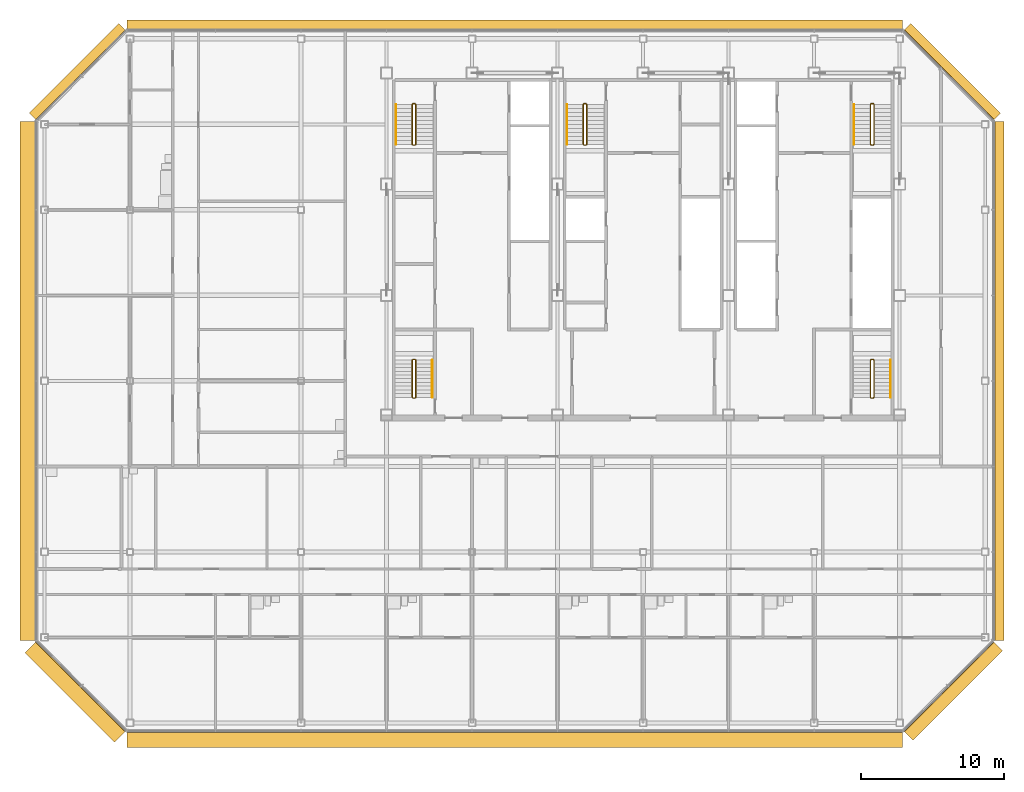
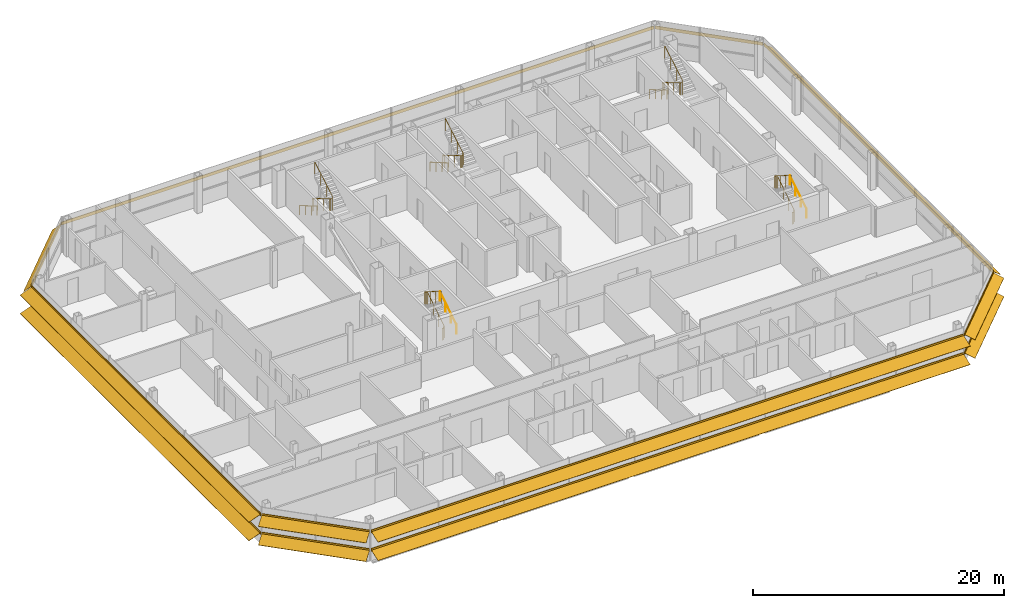
# One storey, part 27 of 28: 10 railings, 8 shading devices.
"""IFC4 building model written with IfcOpenShell, lengths in metres."""

from ifc_helpers import new_model, si_unit, direction, frame, origin, origin_2d, place, context, subcontext, project, spatial, polyline, circle, outline, composite_profile, extrude, material, type_object, element, save


model = new_model("IFC4")

# Units and contexts
model_context = context("Model", 3, precision=1e-05, world=origin(), true_north=direction((0.0, 1.0)))
body_context = subcontext(model_context, "Body", "Model", "MODEL_VIEW")
ifc_project = project(units=[si_unit("LENGTHUNIT", "METRE"), si_unit("AREAUNIT", "SQUARE_METRE"), si_unit("VOLUMEUNIT", "CUBIC_METRE"), si_unit("PLANEANGLEUNIT", "RADIAN"), si_unit("MASSUNIT", "GRAM", prefix="KILO")], contexts=[model_context])

# Site, building, storey
site_placement = place(None, origin())
site = spatial("IfcSite", under=ifc_project, at=site_placement, CompositionType="ELEMENT")
building_placement = place(site_placement, origin())
building = spatial("IfcBuilding", under=site, at=building_placement, Name="Sorahane Residences", CompositionType="ELEMENT")
storey_placement = place(building_placement, frame((0.0, 0.0, 305.199951171875)))
storey = spatial("IfcBuildingStorey", under=building, at=storey_placement, Name="L72", CompositionType="ELEMENT", Elevation=305.199951171875)

# Shading devices
ifc_material_1 = material(Name="Terracotta anodised aluminium", Category="masonry")
shading_device_type_1 = type_object("IfcShadingDeviceType", Name="Louvre sunshade blade E terracotta aluminium 700", PredefinedType="JALOUSIE", material=ifc_material_1)
shading_device_1_placement = place(storey_placement, frame((48.60009765625, 5.801513671875, 2.699951171875), z_axis=(0.0, 1.0, 0.0), x_axis=(-1.0, 0.0, 0.0)))
element("IfcShadingDevice", 1, at=shading_device_1_placement, inside=storey, type_object=shading_device_type_1, Name="Louvre sunshade blade bank E L72 E1", PredefinedType="JALOUSIE", context=body_context, shape_type="SweptSolid", body=[
    extrude(outline(polyline([(-0.719970703125, -0.49365234375), (-0.719970703125, -0.523681640625), (-0.080078125, -0.05859375), (-0.080078125, -0.14990234375), (-0.02001953125, -0.14990234375), (-0.02001953125, -0.014892578125), (-0.02001953125, 0.014892578125), (-0.02001953125, 0.14990234375), (-0.080078125, 0.14990234375), (-0.080078125, -0.028564453125), (-0.719970703125, -0.49365234375)])), origin(), (0.0, 0.0, 1.0), 36.39697265625),
])
ifc_material_2 = material(Name="Terracotta anodised aluminium", Category="masonry")
shading_device_type_2 = type_object("IfcShadingDeviceType", Name="Louvre sunshade blade N terracotta aluminium 700", PredefinedType="JALOUSIE", material=ifc_material_2)
shading_device_2_placement = place(storey_placement, frame((42.198486328125, 48.60009765625, 2.699951171875), z_axis=(-1.0, 0.0, 0.0), x_axis=(0.0, -1.0, 0.0)))
element("IfcShadingDevice", 2, at=shading_device_2_placement, inside=storey, type_object=shading_device_type_2, Name="Louvre sunshade blade bank N L72 N1", PredefinedType="JALOUSIE", context=body_context, shape_type="SweptSolid", body=[
    extrude(outline(polyline([(-0.719970703125, -0.660888671875), (-0.719970703125, -0.69091796875), (-0.080078125, -0.072998046875), (-0.080078125, -0.14990234375), (-0.02001953125, -0.14990234375), (-0.02001953125, -0.014892578125), (-0.02001953125, 0.014892578125), (-0.02001953125, 0.14990234375), (-0.080078125, 0.14990234375), (-0.080078125, -0.04296875), (-0.719970703125, -0.660888671875)])), origin(), (0.0, 0.0, 1.0), 54.39697265625),
])
ifc_material_3 = material(Name="Terracotta anodised aluminium", Category="masonry")
shading_device_type_3 = type_object("IfcShadingDeviceType", Name="Louvre sunshade blade NE terracotta aluminium 700", PredefinedType="JALOUSIE", material=ifc_material_3)
shading_device_3_placement = place(storey_placement, frame((48.564697265625, 42.283935546875, 2.699951171875), z_axis=(-0.707106781187, 0.707106781187, 0.0), x_axis=(-0.707106781187, -0.707106781187, 0.0)))
element("IfcShadingDevice", 3, at=shading_device_3_placement, inside=storey, type_object=shading_device_type_3, Name="Louvre sunshade blade bank NE L72 NE1", PredefinedType="JALOUSIE", context=body_context, shape_type="SweptSolid", body=[
    extrude(outline(polyline([(-0.719970703125, -0.572509765625), (-0.719970703125, -0.602294921875), (-0.080078125, -0.065185546875), (-0.080078125, -0.14990234375), (-0.02001953125, -0.14990234375), (-0.02001953125, -0.014892578125), (-0.02001953125, 0.014892578125), (-0.02001953125, 0.14990234375), (-0.080078125, 0.14990234375), (-0.080078125, -0.035400390625), (-0.719970703125, -0.572509765625)])), origin(), (0.0, 0.0, 1.0), 8.88232421875),
])
ifc_material_4 = material(Name="Terracotta anodised aluminium", Category="masonry")
shading_device_type_4 = type_object("IfcShadingDeviceType", Name="Louvre sunshade blade NW terracotta aluminium 700", PredefinedType="JALOUSIE", material=ifc_material_4)
shading_device_4_placement = place(storey_placement, frame((-12.283935546875, 48.564697265625, 2.699951171875), z_axis=(-0.707106781187, -0.707106781187, 0.0), x_axis=(0.707106781187, -0.707106781187, 0.0)))
element("IfcShadingDevice", 4, at=shading_device_4_placement, inside=storey, type_object=shading_device_type_4, Name="Louvre sunshade blade bank NW L72 NW1", PredefinedType="JALOUSIE", context=body_context, shape_type="SweptSolid", body=[
    extrude(outline(polyline([(-0.719970703125, -0.660888671875), (-0.719970703125, -0.69091796875), (-0.080078125, -0.072998046875), (-0.080078125, -0.14990234375), (-0.02001953125, -0.14990234375), (-0.02001953125, -0.014892578125), (-0.02001953125, 0.014892578125), (-0.02001953125, 0.14990234375), (-0.080078125, 0.14990234375), (-0.080078125, -0.04296875), (-0.719970703125, -0.660888671875)])), origin(), (0.0, 0.0, 1.0), 8.88232421875),
])
ifc_material_5 = material(Name="Terracotta anodised aluminium", Category="masonry")
shading_device_type_5 = type_object("IfcShadingDeviceType", Name="Louvre sunshade blade S terracotta aluminium 1100", PredefinedType="JALOUSIE", material=ifc_material_5)
shading_device_5_placement = place(storey_placement, frame((-12.198486328125, -0.60009765625, 0.900146484375), z_axis=(1.0, 0.0, 0.0), x_axis=(0.0, 1.0, 0.0)))
element("IfcShadingDevice", 5, at=shading_device_5_placement, inside=storey, type_object=shading_device_type_5, Name="Louvre sunshade blade bank S L72 S1", PredefinedType="JALOUSIE", context=body_context, shape_type="SweptSolid", body=[
    extrude(composite_profile([outline(polyline([(-1.1201171875, -0.385498046875), (-1.1201171875, -0.415283203125), (-0.080078125, -0.036865234375), (-0.080078125, -0.14990234375), (-0.02001953125, -0.14990234375), (-0.02001953125, -0.014892578125), (-0.02001953125, 0.014892578125), (-0.02001953125, 0.14990234375), (-0.080078125, 0.14990234375), (-0.080078125, -0.0068359375), (-1.1201171875, -0.385498046875)])), outline(polyline([(-1.1201171875, 1.41455078125), (-1.1201171875, 1.384521484375), (-0.080078125, 1.76318359375), (-0.080078125, 1.64990234375), (-0.02001953125, 1.64990234375), (-0.02001953125, 1.784912109375), (-0.02001953125, 1.81494140625), (-0.02001953125, 1.949951171875), (-0.080078125, 1.949951171875), (-0.080078125, 1.793212890625), (-1.1201171875, 1.41455078125)]))]), origin(), (0.0, 0.0, 1.0), 54.39697265625),
])
ifc_material_6 = material(Name="Terracotta anodised aluminium", Category="masonry")
shading_device_type_6 = type_object("IfcShadingDeviceType", Name="Louvre sunshade blade SE terracotta aluminium 900", PredefinedType="JALOUSIE", material=ifc_material_6)
shading_device_6_placement = place(storey_placement, frame((42.283935546875, -0.564697265625, 0.900146484375), z_axis=(0.707106781187, 0.707106781187, 0.0), x_axis=(-0.707106781187, 0.707106781187, 0.0)))
element("IfcShadingDevice", 6, at=shading_device_6_placement, inside=storey, type_object=shading_device_type_6, Name="Louvre sunshade blade bank SE L72 SE1", PredefinedType="JALOUSIE", context=body_context, shape_type="SweptSolid", body=[
    extrude(composite_profile([outline(polyline([(-0.919921875, -0.3486328125), (-0.919921875, -0.378662109375), (-0.080078125, -0.039306640625), (-0.080078125, -0.14990234375), (-0.02001953125, -0.14990234375), (-0.02001953125, -0.014892578125), (-0.02001953125, 0.014892578125), (-0.02001953125, 0.14990234375), (-0.080078125, 0.14990234375), (-0.080078125, -0.00927734375), (-0.919921875, -0.3486328125)])), outline(polyline([(-0.919921875, 1.451416015625), (-0.919921875, 1.42138671875), (-0.080078125, 1.7607421875), (-0.080078125, 1.64990234375), (-0.02001953125, 1.64990234375), (-0.02001953125, 1.784912109375), (-0.02001953125, 1.81494140625), (-0.02001953125, 1.949951171875), (-0.080078125, 1.949951171875), (-0.080078125, 1.790771484375), (-0.919921875, 1.451416015625)]))]), origin(), (0.0, 0.0, 1.0), 8.88232421875),
])
ifc_material_7 = material(Name="Terracotta anodised aluminium", Category="masonry")
shading_device_type_7 = type_object("IfcShadingDeviceType", Name="Louvre sunshade blade SW terracotta aluminium 1100", PredefinedType="JALOUSIE", material=ifc_material_7)
shading_device_7_placement = place(storey_placement, frame((-18.564697265625, 5.716064453125, 0.900146484375), z_axis=(0.707106781187, -0.707106781187, 0.0), x_axis=(0.707106781187, 0.707106781187, 0.0)))
element("IfcShadingDevice", 7, at=shading_device_7_placement, inside=storey, type_object=shading_device_type_7, Name="Louvre sunshade blade bank SW L72 SW1", PredefinedType="JALOUSIE", context=body_context, shape_type="SweptSolid", body=[
    extrude(composite_profile([outline(polyline([(-1.1201171875, -0.385498046875), (-1.1201171875, -0.415283203125), (-0.080078125, -0.036865234375), (-0.080078125, -0.14990234375), (-0.02001953125, -0.14990234375), (-0.02001953125, -0.014892578125), (-0.02001953125, 0.014892578125), (-0.02001953125, 0.14990234375), (-0.080078125, 0.14990234375), (-0.080078125, -0.0068359375), (-1.1201171875, -0.385498046875)])), outline(polyline([(-1.1201171875, 1.41455078125), (-1.1201171875, 1.384521484375), (-0.080078125, 1.76318359375), (-0.080078125, 1.64990234375), (-0.02001953125, 1.64990234375), (-0.02001953125, 1.784912109375), (-0.02001953125, 1.81494140625), (-0.02001953125, 1.949951171875), (-0.080078125, 1.949951171875), (-0.080078125, 1.793212890625), (-1.1201171875, 1.41455078125)]))]), origin(), (0.0, 0.0, 1.0), 8.88232421875),
])
ifc_material_8 = material(Name="Terracotta anodised aluminium", Category="masonry")
shading_device_type_8 = type_object("IfcShadingDeviceType", Name="Louvre sunshade blade W terracotta aluminium 1100", PredefinedType="JALOUSIE", material=ifc_material_8)
shading_device_8_placement = place(storey_placement, frame((-18.60009765625, 42.198486328125, 0.900146484375), z_axis=(0.0, -1.0, 0.0), x_axis=(1.0, 0.0, 0.0)))
element("IfcShadingDevice", 8, at=shading_device_8_placement, inside=storey, type_object=shading_device_type_8, Name="Louvre sunshade blade bank W L72 W1", PredefinedType="JALOUSIE", context=body_context, shape_type="SweptSolid", body=[
    extrude(composite_profile([outline(polyline([(-1.1201171875, -0.385498046875), (-1.1201171875, -0.415283203125), (-0.080078125, -0.036865234375), (-0.080078125, -0.14990234375), (-0.02001953125, -0.14990234375), (-0.02001953125, -0.014892578125), (-0.02001953125, 0.014892578125), (-0.02001953125, 0.14990234375), (-0.080078125, 0.14990234375), (-0.080078125, -0.0068359375), (-1.1201171875, -0.385498046875)])), outline(polyline([(-1.1201171875, 1.41455078125), (-1.1201171875, 1.384521484375), (-0.080078125, 1.76318359375), (-0.080078125, 1.64990234375), (-0.02001953125, 1.64990234375), (-0.02001953125, 1.784912109375), (-0.02001953125, 1.81494140625), (-0.02001953125, 1.949951171875), (-0.080078125, 1.949951171875), (-0.080078125, 1.793212890625), (-1.1201171875, 1.41455078125)]))]), origin(), (0.0, 0.0, 1.0), 36.39697265625),
])

# Railings
ifc_material_9 = material(Name="Steel Q355B", Category="steel")
railing_type_1 = type_object("IfcRailingType", Name="Stair guard 1200 Steel Q355B", PredefinedType="GUARDRAIL", material=ifc_material_9)
railing_1_placement = place(storey_placement, frame((8.0, 43.449951171875, 0.0)))
element("IfcRailing", 9, at=railing_1_placement, inside=storey, type_object=railing_type_1, Name="L72 S1 stair guard 1", PredefinedType="GUARDRAIL", context=body_context, shape_type="SweptSolid", body=[
    extrude(circle(Radius=0.02392578125, at=origin_2d()), frame((0.0, 0.0, 1.17578125), z_axis=(-1.0, 0.0, 0.0), x_axis=(0.0, -1.0, 0.0)), (0.0, 0.0, 1.0), 0.14990234375),
    extrude(circle(Radius=0.02392578125, at=origin_2d()), frame((-0.14990234375, 0.0, 1.17578125), z_axis=(-0.280808744504, -0.280808744504, 0.917765164963), x_axis=(0.707106781187, -0.707106781187, 0.0)), (0.0, 0.0, 1.0), 0.17822265625),
    extrude(circle(Radius=0.02392578125, at=origin_2d()), frame((-0.199951171875, -0.050048828125, 1.33935546875), z_axis=(0.0, -0.863341702679, 0.504619762213), x_axis=(1.0, 0.0, 0.0)), (0.0, 0.0, 1.0), 3.242919921875),
    extrude(circle(Radius=0.02392578125, at=origin_2d()), frame((-0.199951171875, -2.849853515625, 2.97607421875), z_axis=(0.707106781187, -0.707106781187, 0.0), x_axis=(0.707106781187, 0.707106781187, 0.0)), (0.0, 0.0, 1.0), 0.07080078125),
    extrude(circle(Radius=0.02392578125, at=origin_2d()), frame((-0.14990234375, -2.89990234375, 2.97607421875), z_axis=(1.0, 0.0, 0.0), x_axis=(0.0, 1.0, 0.0)), (0.0, 0.0, 1.0), 0.14990234375),
    extrude(circle(Radius=0.02392578125, at=origin_2d()), frame((0.0, -2.89990234375, 2.97607421875), z_axis=(0.280808744504, 0.280808744504, 0.917765164963), x_axis=(-0.707106781187, 0.707106781187, 0.0)), (0.0, 0.0, 1.0), 0.17822265625),
    extrude(circle(Radius=0.02392578125, at=origin_2d()), frame((0.050048828125, -2.849853515625, 3.1396484375), z_axis=(0.0, 0.863341702679, 0.504619762213), x_axis=(-1.0, 0.0, 0.0)), (0.0, 0.0, 1.0), 3.242919921875),
    extrude(circle(Radius=0.02099609375, at=origin_2d()), origin(), (0.0, 0.0, 1.0), 1.15185546875),
    extrude(circle(Radius=0.02099609375, at=origin_2d()), frame((-0.14990234375, 0.0, 0.0)), (0.0, 0.0, 1.0), 1.15185546875),
    extrude(circle(Radius=0.02099609375, at=origin_2d()), frame((-0.199951171875, -0.050048828125, 0.16357421875)), (0.0, 0.0, 1.0), 1.15185546875),
    extrude(circle(Radius=0.02099609375, at=origin_2d()), frame((-0.199951171875, -0.9833984375, 0.708984375)), (0.0, 0.0, 1.0), 1.15185546875),
    extrude(circle(Radius=0.02099609375, at=origin_2d()), frame((-0.199951171875, -1.91650390625, 1.254638671875)), (0.0, 0.0, 1.0), 1.15185546875),
    extrude(circle(Radius=0.02099609375, at=origin_2d()), frame((-0.199951171875, -2.849853515625, 1.800048828125)), (0.0, 0.0, 1.0), 1.15185546875),
    extrude(circle(Radius=0.02099609375, at=origin_2d()), frame((-0.14990234375, -2.89990234375, 1.800048828125)), (0.0, 0.0, 1.0), 1.15185546875),
    extrude(circle(Radius=0.02099609375, at=origin_2d()), frame((0.0, -2.89990234375, 1.800048828125)), (0.0, 0.0, 1.0), 1.15185546875),
    extrude(circle(Radius=0.02099609375, at=origin_2d()), frame((0.050048828125, -2.849853515625, 1.963623046875)), (0.0, 0.0, 1.0), 1.15185546875),
    extrude(circle(Radius=0.02099609375, at=origin_2d()), frame((0.050048828125, -1.91650390625, 2.509033203125)), (0.0, 0.0, 1.0), 1.15185546875),
    extrude(circle(Radius=0.02099609375, at=origin_2d()), frame((0.050048828125, -0.9833984375, 3.0546875)), (0.0, 0.0, 1.0), 1.15185546875),
    extrude(circle(Radius=0.02099609375, at=origin_2d()), frame((0.050048828125, -0.050048828125, 3.60009765625)), (0.0, 0.0, 1.0), 1.15185546875),
])
railing_2_placement = place(storey_placement, frame((40.14990234375, 43.449951171875, 0.0)))
element("IfcRailing", 10, at=railing_2_placement, inside=storey, type_object=railing_type_1, Name="L72 S2 stair guard 1", PredefinedType="GUARDRAIL", context=body_context, shape_type="SweptSolid", body=[
    extrude(circle(Radius=0.02392578125, at=origin_2d()), frame((0.0, 0.0, 1.17578125), z_axis=(-1.0, 0.0, 0.0), x_axis=(0.0, -1.0, 0.0)), (0.0, 0.0, 1.0), 0.14990234375),
    extrude(circle(Radius=0.02392578125, at=origin_2d()), frame((-0.14990234375, 0.0, 1.17578125), z_axis=(-0.280808744504, -0.280808744504, 0.917765164963), x_axis=(0.707106781187, -0.707106781187, 0.0)), (0.0, 0.0, 1.0), 0.17822265625),
    extrude(circle(Radius=0.02392578125, at=origin_2d()), frame((-0.199951171875, -0.050048828125, 1.33935546875), z_axis=(0.0, -0.863341702679, 0.504619762213), x_axis=(1.0, 0.0, 0.0)), (0.0, 0.0, 1.0), 3.242919921875),
    extrude(circle(Radius=0.02392578125, at=origin_2d()), frame((-0.199951171875, -2.849853515625, 2.97607421875), z_axis=(0.707106781187, -0.707106781187, 0.0), x_axis=(0.707106781187, 0.707106781187, 0.0)), (0.0, 0.0, 1.0), 0.07080078125),
    extrude(circle(Radius=0.02392578125, at=origin_2d()), frame((-0.14990234375, -2.89990234375, 2.97607421875), z_axis=(1.0, 0.0, 0.0), x_axis=(0.0, 1.0, 0.0)), (0.0, 0.0, 1.0), 0.14990234375),
    extrude(circle(Radius=0.02392578125, at=origin_2d()), frame((0.0, -2.89990234375, 2.97607421875), z_axis=(0.280808744504, 0.280808744504, 0.917765164963), x_axis=(-0.707106781187, 0.707106781187, 0.0)), (0.0, 0.0, 1.0), 0.17822265625),
    extrude(circle(Radius=0.02392578125, at=origin_2d()), frame((0.050048828125, -2.849853515625, 3.1396484375), z_axis=(0.0, 0.863341702679, 0.504619762213), x_axis=(-1.0, 0.0, 0.0)), (0.0, 0.0, 1.0), 3.242919921875),
    extrude(circle(Radius=0.02099609375, at=origin_2d()), origin(), (0.0, 0.0, 1.0), 1.15185546875),
    extrude(circle(Radius=0.02099609375, at=origin_2d()), frame((-0.14990234375, 0.0, 0.0)), (0.0, 0.0, 1.0), 1.15185546875),
    extrude(circle(Radius=0.02099609375, at=origin_2d()), frame((-0.199951171875, -0.050048828125, 0.16357421875)), (0.0, 0.0, 1.0), 1.15185546875),
    extrude(circle(Radius=0.02099609375, at=origin_2d()), frame((-0.199951171875, -0.9833984375, 0.708984375)), (0.0, 0.0, 1.0), 1.15185546875),
    extrude(circle(Radius=0.02099609375, at=origin_2d()), frame((-0.199951171875, -1.91650390625, 1.254638671875)), (0.0, 0.0, 1.0), 1.15185546875),
    extrude(circle(Radius=0.02099609375, at=origin_2d()), frame((-0.199951171875, -2.849853515625, 1.800048828125)), (0.0, 0.0, 1.0), 1.15185546875),
    extrude(circle(Radius=0.02099609375, at=origin_2d()), frame((-0.14990234375, -2.89990234375, 1.800048828125)), (0.0, 0.0, 1.0), 1.15185546875),
    extrude(circle(Radius=0.02099609375, at=origin_2d()), frame((0.0, -2.89990234375, 1.800048828125)), (0.0, 0.0, 1.0), 1.15185546875),
    extrude(circle(Radius=0.02099609375, at=origin_2d()), frame((0.050048828125, -2.849853515625, 1.963623046875)), (0.0, 0.0, 1.0), 1.15185546875),
    extrude(circle(Radius=0.02099609375, at=origin_2d()), frame((0.050048828125, -1.91650390625, 2.509033203125)), (0.0, 0.0, 1.0), 1.15185546875),
    extrude(circle(Radius=0.02099609375, at=origin_2d()), frame((0.050048828125, -0.9833984375, 3.0546875)), (0.0, 0.0, 1.0), 1.15185546875),
    extrude(circle(Radius=0.02099609375, at=origin_2d()), frame((0.050048828125, -0.050048828125, 3.60009765625)), (0.0, 0.0, 1.0), 1.15185546875),
])
railing_3_placement = place(storey_placement, frame((20.0, 43.449951171875, 0.0)))
element("IfcRailing", 11, at=railing_3_placement, inside=storey, type_object=railing_type_1, Name="L72 S3 stair guard 1", PredefinedType="GUARDRAIL", context=body_context, shape_type="SweptSolid", body=[
    extrude(circle(Radius=0.02392578125, at=origin_2d()), frame((0.0, 0.0, 1.17578125), z_axis=(-1.0, 0.0, 0.0), x_axis=(0.0, -1.0, 0.0)), (0.0, 0.0, 1.0), 0.14990234375),
    extrude(circle(Radius=0.02392578125, at=origin_2d()), frame((-0.14990234375, 0.0, 1.17578125), z_axis=(-0.280808744504, -0.280808744504, 0.917765164963), x_axis=(0.707106781187, -0.707106781187, 0.0)), (0.0, 0.0, 1.0), 0.17822265625),
    extrude(circle(Radius=0.02392578125, at=origin_2d()), frame((-0.199951171875, -0.050048828125, 1.33935546875), z_axis=(0.0, -0.863341702679, 0.504619762213), x_axis=(1.0, 0.0, 0.0)), (0.0, 0.0, 1.0), 3.242919921875),
    extrude(circle(Radius=0.02392578125, at=origin_2d()), frame((-0.199951171875, -2.849853515625, 2.97607421875), z_axis=(0.707106781187, -0.707106781187, 0.0), x_axis=(0.707106781187, 0.707106781187, 0.0)), (0.0, 0.0, 1.0), 0.07080078125),
    extrude(circle(Radius=0.02392578125, at=origin_2d()), frame((-0.14990234375, -2.89990234375, 2.97607421875), z_axis=(1.0, 0.0, 0.0), x_axis=(0.0, 1.0, 0.0)), (0.0, 0.0, 1.0), 0.14990234375),
    extrude(circle(Radius=0.02392578125, at=origin_2d()), frame((0.0, -2.89990234375, 2.97607421875), z_axis=(0.280808744504, 0.280808744504, 0.917765164963), x_axis=(-0.707106781187, 0.707106781187, 0.0)), (0.0, 0.0, 1.0), 0.17822265625),
    extrude(circle(Radius=0.02392578125, at=origin_2d()), frame((0.050048828125, -2.849853515625, 3.1396484375), z_axis=(0.0, 0.863341702679, 0.504619762213), x_axis=(-1.0, 0.0, 0.0)), (0.0, 0.0, 1.0), 3.242919921875),
    extrude(circle(Radius=0.02099609375, at=origin_2d()), origin(), (0.0, 0.0, 1.0), 1.15185546875),
    extrude(circle(Radius=0.02099609375, at=origin_2d()), frame((-0.14990234375, 0.0, 0.0)), (0.0, 0.0, 1.0), 1.15185546875),
    extrude(circle(Radius=0.02099609375, at=origin_2d()), frame((-0.199951171875, -0.050048828125, 0.16357421875)), (0.0, 0.0, 1.0), 1.15185546875),
    extrude(circle(Radius=0.02099609375, at=origin_2d()), frame((-0.199951171875, -0.9833984375, 0.708984375)), (0.0, 0.0, 1.0), 1.15185546875),
    extrude(circle(Radius=0.02099609375, at=origin_2d()), frame((-0.199951171875, -1.91650390625, 1.254638671875)), (0.0, 0.0, 1.0), 1.15185546875),
    extrude(circle(Radius=0.02099609375, at=origin_2d()), frame((-0.199951171875, -2.849853515625, 1.800048828125)), (0.0, 0.0, 1.0), 1.15185546875),
    extrude(circle(Radius=0.02099609375, at=origin_2d()), frame((-0.14990234375, -2.89990234375, 1.800048828125)), (0.0, 0.0, 1.0), 1.15185546875),
    extrude(circle(Radius=0.02099609375, at=origin_2d()), frame((0.0, -2.89990234375, 1.800048828125)), (0.0, 0.0, 1.0), 1.15185546875),
    extrude(circle(Radius=0.02099609375, at=origin_2d()), frame((0.050048828125, -2.849853515625, 1.963623046875)), (0.0, 0.0, 1.0), 1.15185546875),
    extrude(circle(Radius=0.02099609375, at=origin_2d()), frame((0.050048828125, -1.91650390625, 2.509033203125)), (0.0, 0.0, 1.0), 1.15185546875),
    extrude(circle(Radius=0.02099609375, at=origin_2d()), frame((0.050048828125, -0.9833984375, 3.0546875)), (0.0, 0.0, 1.0), 1.15185546875),
    extrude(circle(Radius=0.02099609375, at=origin_2d()), frame((0.050048828125, -0.050048828125, 3.60009765625)), (0.0, 0.0, 1.0), 1.15185546875),
])
railing_4_placement = place(storey_placement, frame((7.85009765625, 22.800048828125, 0.0)))
element("IfcRailing", 12, at=railing_4_placement, inside=storey, type_object=railing_type_1, Name="L72 S4 stair guard 1", PredefinedType="GUARDRAIL", context=body_context, shape_type="SweptSolid", body=[
    extrude(circle(Radius=0.02392578125, at=origin_2d()), frame((0.0, 0.0, 1.17578125), z_axis=(1.0, 0.0, 0.0), x_axis=(0.0, 1.0, 0.0)), (0.0, 0.0, 1.0), 0.14990234375),
    extrude(circle(Radius=0.02392578125, at=origin_2d()), frame((0.14990234375, 0.0, 1.17578125), z_axis=(0.280808744504, 0.280808744504, 0.917765164963), x_axis=(-0.707106781187, 0.707106781187, 0.0)), (0.0, 0.0, 1.0), 0.17822265625),
    extrude(circle(Radius=0.02392578125, at=origin_2d()), frame((0.199951171875, 0.050048828125, 1.33935546875), z_axis=(0.0, 0.846301844409, 0.532703658848), x_axis=(-1.0, 0.0, 0.0)), (0.0, 0.0, 1.0), 3.072021484375),
    extrude(circle(Radius=0.02392578125, at=origin_2d()), frame((0.199951171875, 2.64990234375, 2.97607421875), z_axis=(-0.707106781187, 0.707106781187, 0.0), x_axis=(-0.707106781187, -0.707106781187, 0.0)), (0.0, 0.0, 1.0), 0.07080078125),
    extrude(circle(Radius=0.02392578125, at=origin_2d()), frame((0.14990234375, 2.699951171875, 2.97607421875), z_axis=(-1.0, 0.0, 0.0), x_axis=(0.0, -1.0, 0.0)), (0.0, 0.0, 1.0), 0.14990234375),
    extrude(circle(Radius=0.02392578125, at=origin_2d()), frame((0.0, 2.699951171875, 2.97607421875), z_axis=(-0.280808744504, -0.280808744504, 0.917765164963), x_axis=(0.707106781187, -0.707106781187, 0.0)), (0.0, 0.0, 1.0), 0.17822265625),
    extrude(circle(Radius=0.02392578125, at=origin_2d()), frame((-0.050048828125, 2.64990234375, 3.1396484375), z_axis=(0.0, -0.846301844409, 0.532703658848), x_axis=(1.0, 0.0, 0.0)), (0.0, 0.0, 1.0), 3.072021484375),
    extrude(circle(Radius=0.02099609375, at=origin_2d()), origin(), (0.0, 0.0, 1.0), 1.15185546875),
    extrude(circle(Radius=0.02099609375, at=origin_2d()), frame((0.14990234375, 0.0, 0.0)), (0.0, 0.0, 1.0), 1.15185546875),
    extrude(circle(Radius=0.02099609375, at=origin_2d()), frame((0.199951171875, 0.050048828125, 0.16357421875)), (0.0, 0.0, 1.0), 1.15185546875),
    extrude(circle(Radius=0.02099609375, at=origin_2d()), frame((0.199951171875, 0.916748046875, 0.708984375)), (0.0, 0.0, 1.0), 1.15185546875),
    extrude(circle(Radius=0.02099609375, at=origin_2d()), frame((0.199951171875, 1.783203125, 1.254638671875)), (0.0, 0.0, 1.0), 1.15185546875),
    extrude(circle(Radius=0.02099609375, at=origin_2d()), frame((0.199951171875, 2.64990234375, 1.800048828125)), (0.0, 0.0, 1.0), 1.15185546875),
    extrude(circle(Radius=0.02099609375, at=origin_2d()), frame((0.14990234375, 2.699951171875, 1.800048828125)), (0.0, 0.0, 1.0), 1.15185546875),
    extrude(circle(Radius=0.02099609375, at=origin_2d()), frame((0.0, 2.699951171875, 1.800048828125)), (0.0, 0.0, 1.0), 1.15185546875),
    extrude(circle(Radius=0.02099609375, at=origin_2d()), frame((-0.050048828125, 2.64990234375, 1.963623046875)), (0.0, 0.0, 1.0), 1.15185546875),
    extrude(circle(Radius=0.02099609375, at=origin_2d()), frame((-0.050048828125, 1.783203125, 2.509033203125)), (0.0, 0.0, 1.0), 1.15185546875),
    extrude(circle(Radius=0.02099609375, at=origin_2d()), frame((-0.050048828125, 0.916748046875, 3.0546875)), (0.0, 0.0, 1.0), 1.15185546875),
    extrude(circle(Radius=0.02099609375, at=origin_2d()), frame((-0.050048828125, 0.050048828125, 3.60009765625)), (0.0, 0.0, 1.0), 1.15185546875),
])
railing_5_placement = place(storey_placement, frame((40.0, 22.800048828125, 0.0)))
element("IfcRailing", 13, at=railing_5_placement, inside=storey, type_object=railing_type_1, Name="L72 S5 stair guard 1", PredefinedType="GUARDRAIL", context=body_context, shape_type="SweptSolid", body=[
    extrude(circle(Radius=0.02392578125, at=origin_2d()), frame((0.0, 0.0, 1.17578125), z_axis=(1.0, 0.0, 0.0), x_axis=(0.0, 1.0, 0.0)), (0.0, 0.0, 1.0), 0.14990234375),
    extrude(circle(Radius=0.02392578125, at=origin_2d()), frame((0.14990234375, 0.0, 1.17578125), z_axis=(0.280808744504, 0.280808744504, 0.917765164963), x_axis=(-0.707106781187, 0.707106781187, 0.0)), (0.0, 0.0, 1.0), 0.17822265625),
    extrude(circle(Radius=0.02392578125, at=origin_2d()), frame((0.199951171875, 0.050048828125, 1.33935546875), z_axis=(0.0, 0.846301844409, 0.532703658848), x_axis=(-1.0, 0.0, 0.0)), (0.0, 0.0, 1.0), 3.072021484375),
    extrude(circle(Radius=0.02392578125, at=origin_2d()), frame((0.199951171875, 2.64990234375, 2.97607421875), z_axis=(-0.707106781187, 0.707106781187, 0.0), x_axis=(-0.707106781187, -0.707106781187, 0.0)), (0.0, 0.0, 1.0), 0.07080078125),
    extrude(circle(Radius=0.02392578125, at=origin_2d()), frame((0.14990234375, 2.699951171875, 2.97607421875), z_axis=(-1.0, 0.0, 0.0), x_axis=(0.0, -1.0, 0.0)), (0.0, 0.0, 1.0), 0.14990234375),
    extrude(circle(Radius=0.02392578125, at=origin_2d()), frame((0.0, 2.699951171875, 2.97607421875), z_axis=(-0.280808744504, -0.280808744504, 0.917765164963), x_axis=(0.707106781187, -0.707106781187, 0.0)), (0.0, 0.0, 1.0), 0.17822265625),
    extrude(circle(Radius=0.02392578125, at=origin_2d()), frame((-0.050048828125, 2.64990234375, 3.1396484375), z_axis=(0.0, -0.846301844409, 0.532703658848), x_axis=(1.0, 0.0, 0.0)), (0.0, 0.0, 1.0), 3.072021484375),
    extrude(circle(Radius=0.02099609375, at=origin_2d()), origin(), (0.0, 0.0, 1.0), 1.15185546875),
    extrude(circle(Radius=0.02099609375, at=origin_2d()), frame((0.14990234375, 0.0, 0.0)), (0.0, 0.0, 1.0), 1.15185546875),
    extrude(circle(Radius=0.02099609375, at=origin_2d()), frame((0.199951171875, 0.050048828125, 0.16357421875)), (0.0, 0.0, 1.0), 1.15185546875),
    extrude(circle(Radius=0.02099609375, at=origin_2d()), frame((0.199951171875, 0.916748046875, 0.708984375)), (0.0, 0.0, 1.0), 1.15185546875),
    extrude(circle(Radius=0.02099609375, at=origin_2d()), frame((0.199951171875, 1.783203125, 1.254638671875)), (0.0, 0.0, 1.0), 1.15185546875),
    extrude(circle(Radius=0.02099609375, at=origin_2d()), frame((0.199951171875, 2.64990234375, 1.800048828125)), (0.0, 0.0, 1.0), 1.15185546875),
    extrude(circle(Radius=0.02099609375, at=origin_2d()), frame((0.14990234375, 2.699951171875, 1.800048828125)), (0.0, 0.0, 1.0), 1.15185546875),
    extrude(circle(Radius=0.02099609375, at=origin_2d()), frame((0.0, 2.699951171875, 1.800048828125)), (0.0, 0.0, 1.0), 1.15185546875),
    extrude(circle(Radius=0.02099609375, at=origin_2d()), frame((-0.050048828125, 2.64990234375, 1.963623046875)), (0.0, 0.0, 1.0), 1.15185546875),
    extrude(circle(Radius=0.02099609375, at=origin_2d()), frame((-0.050048828125, 1.783203125, 2.509033203125)), (0.0, 0.0, 1.0), 1.15185546875),
    extrude(circle(Radius=0.02099609375, at=origin_2d()), frame((-0.050048828125, 0.916748046875, 3.0546875)), (0.0, 0.0, 1.0), 1.15185546875),
    extrude(circle(Radius=0.02099609375, at=origin_2d()), frame((-0.050048828125, 0.050048828125, 3.60009765625)), (0.0, 0.0, 1.0), 1.15185546875),
])
ifc_material_10 = material(Name="Steel Q355B", Category="steel")
railing_type_2 = type_object("IfcRailingType", Name="Stair handrail 900 Steel Q355B", PredefinedType="HANDRAIL", material=ifc_material_10)
for number, where, name in (
    (14, (6.64990234375, 43.39990234375, 0.16357421875), "L72 S1 stair handrail 1"),
    (15, (38.800048828125, 43.39990234375, 0.16357421875), "L72 S2 stair handrail 1"),
    (16, (18.64990234375, 43.39990234375, 0.16357421875), "L72 S3 stair handrail 1"),
):
    element("IfcRailing", number, at=place(storey_placement, frame(where)), inside=storey, type_object=railing_type_2, Name=name, PredefinedType="HANDRAIL", context=body_context, shape_type="SweptSolid", body=[
        extrude(circle(Radius=0.02392578125, at=origin_2d()), frame((0.0, 0.0, 0.8759765625), z_axis=(0.0, -0.863341702679, 0.504619762213), x_axis=(1.0, 0.0, 0.0)), (0.0, 0.0, 1.0), 3.242919921875),
        extrude(circle(Radius=0.02099609375, at=origin_2d()), origin(), (0.0, 0.0, 1.0), 0.851806640625),
        extrude(circle(Radius=0.02099609375, at=origin_2d()), frame((0.0, -0.933349609375, 0.54541015625)), (0.0, 0.0, 1.0), 0.851806640625),
        extrude(circle(Radius=0.02099609375, at=origin_2d()), frame((0.0, -1.866455078125, 1.091064453125)), (0.0, 0.0, 1.0), 0.851806640625),
        extrude(circle(Radius=0.02099609375, at=origin_2d()), frame((0.0, -2.7998046875, 1.636474609375)), (0.0, 0.0, 1.0), 0.851806640625),
    ])
for number, where, name in (
    (17, (9.199951171875, 22.85009765625, 0.16357421875), "L72 S4 stair handrail 1"),
    (18, (41.35009765625, 22.85009765625, 0.16357421875), "L72 S5 stair handrail 1"),
):
    element("IfcRailing", number, at=place(storey_placement, frame(where)), inside=storey, type_object=railing_type_2, Name=name, PredefinedType="HANDRAIL", context=body_context, shape_type="SweptSolid", body=[
        extrude(circle(Radius=0.02392578125, at=origin_2d()), frame((0.0, 0.0, 0.8759765625), z_axis=(0.0, 0.846301844409, 0.532703658848), x_axis=(-1.0, 0.0, 0.0)), (0.0, 0.0, 1.0), 3.072021484375),
        extrude(circle(Radius=0.02099609375, at=origin_2d()), origin(), (0.0, 0.0, 1.0), 0.851806640625),
        extrude(circle(Radius=0.02099609375, at=origin_2d()), frame((0.0, 0.86669921875, 0.54541015625)), (0.0, 0.0, 1.0), 0.851806640625),
        extrude(circle(Radius=0.02099609375, at=origin_2d()), frame((0.0, 1.733154296875, 1.091064453125)), (0.0, 0.0, 1.0), 0.851806640625),
        extrude(circle(Radius=0.02099609375, at=origin_2d()), frame((0.0, 2.599853515625, 1.636474609375)), (0.0, 0.0, 1.0), 0.851806640625),
    ])

save(model, "model.ifc")
